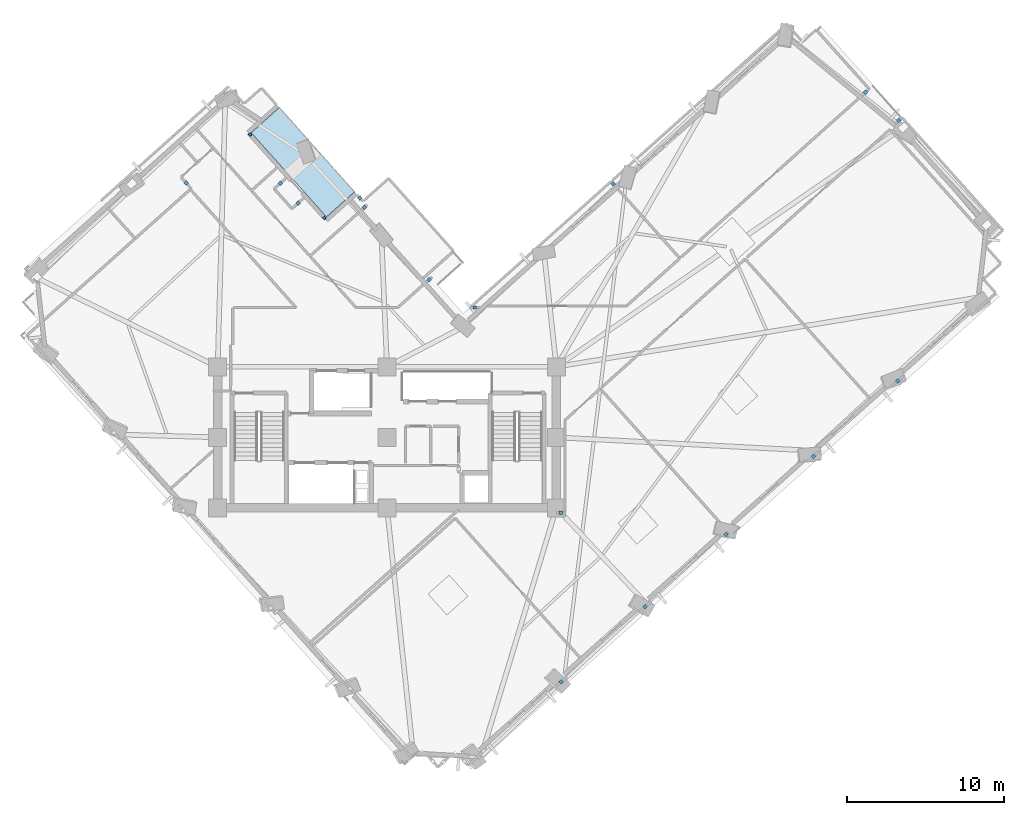
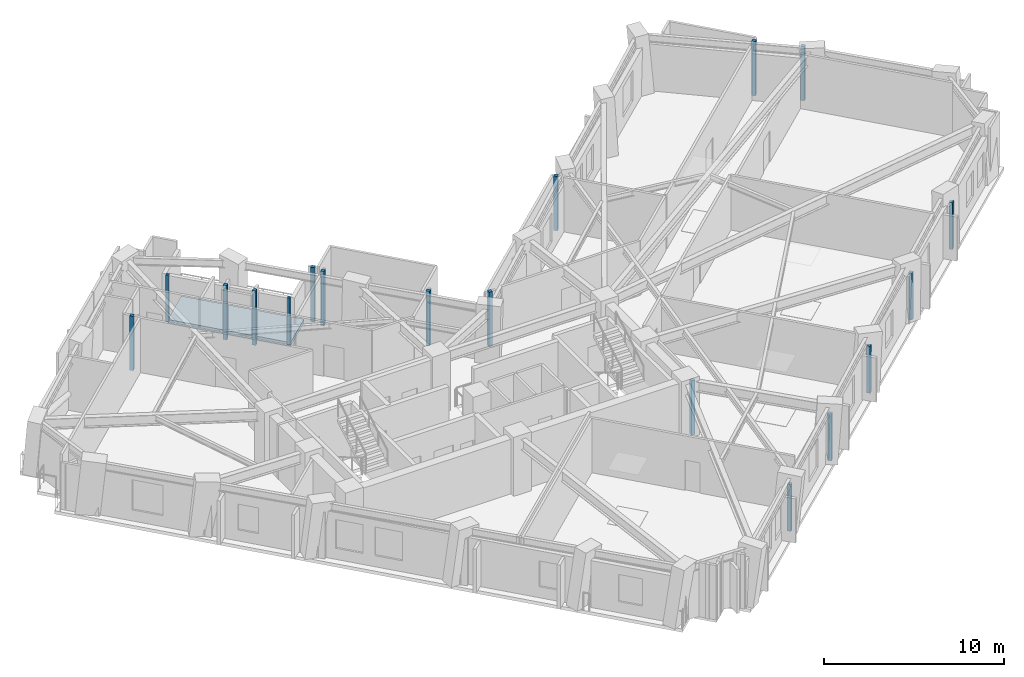
# One storey, part 4 of 14: 18 plates, 1 slab.
"""IFC4 building model written with IfcOpenShell, lengths in metres."""

import ifcopenshell
import ifcopenshell.guid

model = None  # the IFC model being written
_history = None  # IfcOwnerHistory: only IFC2X3 demands one
_inside = {}  # id of a spatial element -> (the spatial element, [elements in it])
_under = {}  # id of a project, library or spatial element -> (it, [spatial elements below it])
_declared = {}  # id of a project -> (the project, [libraries it declares])
_typed = {}  # id of a type object -> (the type object, [elements of that type])
_made_of = {}  # id of a material, layer set ... -> (it, [elements and type objects made of it])


def new_model(schema):
    """Start an empty IFC model of exactly this schema.

    Asked for "IFC4X3", IfcOpenShell would pick the latest addendum, in which some entities
    have other attributes; the version numbers below select the first issue.
    IFC2X3 requires an IfcOwnerHistory on every rooted entity: one is made here for all.
    """
    global model, _history
    if schema == "IFC4X3":
        model = ifcopenshell.file(schema_version=(4, 3, 0, 0))
    else:
        model = ifcopenshell.file(schema=schema)
    _inside.clear()
    _under.clear()
    _declared.clear()
    _typed.clear()
    _made_of.clear()
    _history = None
    if model.schema == "IFC2X3":
        org = make("IfcOrganization", Name="unknown")
        user = make(
            "IfcPersonAndOrganization",
            ThePerson=make("IfcPerson", FamilyName="unknown"),
            TheOrganization=org,
        )
        app = make(
            "IfcApplication",
            ApplicationDeveloper=org,
            Version="unknown",
            ApplicationFullName="unknown",
            ApplicationIdentifier="unknown",
        )
        _history = make(
            "IfcOwnerHistory",
            OwningUser=user,
            OwningApplication=app,
            ChangeAction="ADDED",
            CreationDate=0,
        )
    return model


def make(cls, **values):
    """One entity of the class cls with the attributes given. An attribute that is None is left unset."""
    return model.create_entity(
        cls, **{name: value for name, value in values.items() if value is not None}
    )


def rooted(cls, **values):
    """An entity with a GlobalId (a new one), such as an element, a storey or a relation."""
    return make(cls, GlobalId=ifcopenshell.guid.new(), OwnerHistory=_history, **values)


def si_unit(unit_type, name, prefix=None):
    """IfcSIUnit, for example si_unit("LENGTHUNIT", "METRE", prefix="MILLI")."""
    return make("IfcSIUnit", UnitType=unit_type, Prefix=prefix, Name=name)


def assignment(units):
    """IfcUnitAssignment: the units of a project."""
    return None if units is None else make("IfcUnitAssignment", Units=units)


def point(xyz):
    """IfcCartesianPoint."""
    return None if xyz is None else make("IfcCartesianPoint", Coordinates=xyz)


def direction(xyz):
    """IfcDirection."""
    return None if xyz is None else make("IfcDirection", DirectionRatios=xyz)


def frame(location, z_axis=None, x_axis=None):
    """IfcAxis2Placement3D, a coordinate frame: its origin and axes. An axis left out is left unset."""
    return make(
        "IfcAxis2Placement3D",
        Location=point(location),
        Axis=direction(z_axis),
        RefDirection=direction(x_axis),
    )


def frame_2d(location, x_axis=None):
    """IfcAxis2Placement2D, a coordinate frame in the plane: its origin and x axis."""
    return make(
        "IfcAxis2Placement2D", Location=point(location), RefDirection=direction(x_axis)
    )


def origin():
    """The frame at (0, 0, 0) with its axes left unset."""
    return frame((0.0, 0.0, 0.0))


def origin_2d():
    """The frame at (0, 0) in the plane with its x axis left unset."""
    return frame_2d((0.0, 0.0))


def place(relative_to, where):
    """IfcLocalPlacement: puts the frame where relative to a parent placement (None: the world)."""
    return make(
        "IfcLocalPlacement", PlacementRelTo=relative_to, RelativePlacement=where
    )


def context(
    kind, dimensions, precision=None, world=None, true_north=None, identifier=None
):
    """IfcGeometricRepresentationContext, for example the 3D "Model" context."""
    return make(
        "IfcGeometricRepresentationContext",
        ContextIdentifier=identifier,
        ContextType=kind,
        CoordinateSpaceDimension=dimensions,
        Precision=precision,
        WorldCoordinateSystem=world,
        TrueNorth=true_north,
    )


def subcontext(parent, identifier, kind, view, scale=None):
    """IfcGeometricRepresentationSubContext, for example "Body" below "Model"."""
    return make(
        "IfcGeometricRepresentationSubContext",
        ContextIdentifier=identifier,
        ContextType=kind,
        ParentContext=parent,
        TargetScale=scale,
        TargetView=view,
    )


def project(units=None, contexts=None):
    """IfcProject with its units and contexts."""
    return rooted(
        "IfcProject",
        Name="project",
        RepresentationContexts=contexts,
        UnitsInContext=assignment(units),
    )


def spatial(cls, under=None, at=None, **own):
    """A site, building, storey or space (cls), placed at a placement, below another one or the project."""
    s = rooted(cls, ObjectPlacement=at, **own)
    if under is not None:
        _under.setdefault(under.id(), (under, []))[1].append(s)
    return s


def polyline(points):
    """IfcPolyline through the points."""
    return make("IfcPolyline", Points=[point(p) for p in points])


def profile(cls, at=None, kind="AREA", **sizes):
    """A parametric profile (cls). Its sizes go by their IFC names, for example OverallWidth=200.0."""
    return make(cls, ProfileType=kind, Position=at, **sizes)


def rectangle(**sizes):
    """IfcRectangleProfileDef."""
    return profile("IfcRectangleProfileDef", **sizes)


def outline(outer, holes=None, kind="AREA"):
    """IfcArbitraryClosedProfileDef: a profile drawn as a closed curve; with holes, ...WithVoids."""
    if holes is None:
        return make("IfcArbitraryClosedProfileDef", ProfileType=kind, OuterCurve=outer)
    return make(
        "IfcArbitraryProfileDefWithVoids",
        ProfileType=kind,
        OuterCurve=outer,
        InnerCurves=holes,
    )


def extrude(swept, where, along, depth):
    """IfcExtrudedAreaSolid: the profile swept, set in the frame where, extruded along a direction by depth."""
    return make(
        "IfcExtrudedAreaSolid",
        SweptArea=swept,
        Position=where,
        ExtrudedDirection=direction(along),
        Depth=depth,
    )


def shape(context_of_items, identifier, shape_type, items):
    """IfcShapeRepresentation: the items that make up one representation, for example the "Body"."""
    return make(
        "IfcShapeRepresentation",
        ContextOfItems=context_of_items,
        RepresentationIdentifier=identifier,
        RepresentationType=shape_type,
        Items=items,
    )


def material(Name=None, Category=None):
    """IfcMaterial."""
    return make("IfcMaterial", Name=Name, Category=Category)


def layer(
    of_material, thickness, ventilated=None, Name=None, Category=None, Priority=None
):
    """IfcMaterialLayer: one layer of a wall or slab, of a material (None: an air gap)."""
    return make(
        "IfcMaterialLayer",
        Material=of_material,
        LayerThickness=thickness,
        IsVentilated=ventilated,
        Name=Name,
        Category=Category,
        Priority=Priority,
    )


def layer_set(layers, Name=None):
    """IfcMaterialLayerSet."""
    return make("IfcMaterialLayerSet", MaterialLayers=layers, LayerSetName=Name)


def made_of(thing, what):
    """Note that an element or type object is made of a material, layer set ...; save() writes the relation."""
    if what is not None:
        _made_of.setdefault(what.id(), (what, []))[1].append(thing)
    return thing


def type_object(cls, material=None, **own):
    """A type object (cls), such as IfcWallType, which elements share."""
    return made_of(rooted(cls, **own), material)


def element(
    cls,
    number,
    at=None,
    inside=None,
    cuts=None,
    type_object=None,
    material=None,
    context=None,
    identifier="Body",
    shape_type=None,
    held_by="IfcProductDefinitionShape",
    body=None,
    shapes=None,
    **own,
):
    """One element of the class cls, such as IfcWall. Its Tag is "e" and its number.

    at: its placement. inside: the storey or other place that contains it. cuts: it is an
    opening in that element (IfcRelVoidsElement). A single representation is given by context,
    identifier, shape_type and body (its items); several are given by shapes. held_by: the class
    of the entity that holds the representations. save() writes the other relations.
    """
    e = rooted(cls, Tag="e%d" % number, ObjectPlacement=at, **own)
    if body is not None:
        shapes = [shape(context, identifier, shape_type, body)]
    if shapes is not None:
        e.Representation = make(held_by, Representations=shapes)
    if inside is not None:
        _inside.setdefault(inside.id(), (inside, []))[1].append(e)
    if cuts is not None:
        rooted(
            "IfcRelVoidsElement", RelatingBuildingElement=cuts, RelatedOpeningElement=e
        )
    if type_object is not None:
        _typed.setdefault(type_object.id(), (type_object, []))[1].append(e)
    return made_of(e, material)


def aggregate(whole, parts):
    """IfcRelAggregates: a whole, such as a stair, and the parts it consists of."""
    return rooted("IfcRelAggregates", RelatingObject=whole, RelatedObjects=parts)


def save(model, path):
    """Write the relations noted so far, then the file.

    IfcRelAggregates (storeys below a building ...), IfcRelContainedInSpatialStructure (elements
    in a storey), IfcRelDefinesByType, IfcRelAssociatesMaterial and IfcRelDeclares: one each for
    every whole, place, type object, material and project.
    """
    for whole, parts in _under.values():
        aggregate(whole, parts)
    for where, things in _inside.values():
        rooted(
            "IfcRelContainedInSpatialStructure",
            RelatedElements=things,
            RelatingStructure=where,
        )
    for kind, things in _typed.values():
        rooted("IfcRelDefinesByType", RelatedObjects=things, RelatingType=kind)
    for what, things in _made_of.values():
        rooted("IfcRelAssociatesMaterial", RelatedObjects=things, RelatingMaterial=what)
    for by, libraries in _declared.values():
        rooted("IfcRelDeclares", RelatingContext=by, RelatedDefinitions=libraries)
    model.write(path)


model = new_model("IFC4")

# Units and contexts
model_context = context("Model", 3, precision=1e-05, world=origin(), true_north=direction((0.0, 1.0)))
body_context = subcontext(model_context, "Body", "Model", "MODEL_VIEW")
ifc_project = project(units=[si_unit("LENGTHUNIT", "METRE"), si_unit("AREAUNIT", "SQUARE_METRE"), si_unit("VOLUMEUNIT", "CUBIC_METRE"), si_unit("PLANEANGLEUNIT", "RADIAN"), si_unit("MASSUNIT", "GRAM", prefix="KILO")], contexts=[model_context])

# Site, building, storey
site_placement = place(None, origin())
site = spatial("IfcSite", under=ifc_project, at=site_placement, CompositionType="ELEMENT")
building_placement = place(site_placement, origin())
building = spatial("IfcBuilding", under=site, at=building_placement, Name="Gaonmaruhae Medical Tower", CompositionType="ELEMENT")
storey_placement = place(building_placement, frame((0.0, 0.0, 201.800048828125)))
storey = spatial("IfcBuildingStorey", under=building, at=storey_placement, Name="L48", CompositionType="ELEMENT", Elevation=201.800048828125)

# Plates
ifc_material_1 = material(Name="Anodised aluminium 6063-T6", Category="aluminium")
ifc_layer_1 = layer(ifc_material_1, 0.011962890625)
ifc_layer_set_1 = layer_set([ifc_layer_1], Name="Anodised aluminium 6063-T6")
plate_type = type_object("IfcPlateType", Name="PP-01 Interior Partition Corner Stiffener Plate", PredefinedType="SHEET", material=ifc_layer_set_1)
for number, where, z_axis, x_axis, name in (
    (1, (16.0625, 31.60205078125, 0.0), (0.0, 0.0, 1.0), (0.666519459137, -0.745487632755, 0.0), "L48 Partition End Jamb Post Plate PLT-L48-ENDP-TERB-0"),
    (2, (20.80810546875, 26.294189453125, 0.0), (0.0, 0.0, 1.0), (0.666519459137, -0.745487632755, 0.0), "L48 Partition End Jamb Post Plate PLT-L48-ENDP-TERB-1"),
):
    element("IfcPlate", number, at=place(storey_placement, frame(where, z_axis=z_axis, x_axis=x_axis)), inside=storey, type_object=plate_type, Name=name, PredefinedType="SHEET", context=body_context, shape_type="SweptSolid", body=[
        extrude(rectangle(XDim=0.179931640625, YDim=0.179931640625, at=origin_2d()), origin(), (0.0, 0.0, 1.0), 3.18505859375),
    ])
for number, where, z_axis, x_axis, name in (
    (3, (35.89990234375, -3.299072265625, 0.0), (0.0, 0.0, 1.0), (-0.745894647207, -0.666063942327, 0.0), "L48 Partition Corner Stiffener Plate PLT-L48-JGP-PW013"),
    (4, (46.423095703125, 6.110107421875, 0.0), (0.0, 0.0, 1.0), (-0.745859771158, -0.666102996367, 0.0), "L48 Partition Corner Stiffener Plate PLT-L48-JGP-PW019"),
    (5, (41.26708984375, 1.5, 0.0), (0.0, 0.0, 1.0), (-0.745824893064, -0.66614204858, 0.0), "L48 Partition Corner Stiffener Plate PLT-L48-JGP-PW020"),
):
    element("IfcPlate", number, at=place(storey_placement, frame(where, z_axis=z_axis, x_axis=x_axis)), inside=storey, type_object=plate_type, Name=name, PredefinedType="SHEET", context=body_context, shape_type="SweptSolid", body=[
        extrude(rectangle(XDim=0.219970703125, YDim=0.219970703125, at=origin_2d()), origin(), (0.0, 0.0, 1.0), 3.18505859375),
    ])
plate_placement = place(storey_placement, frame((35.875, 7.5, 0.0), z_axis=(0.0, 0.0, 1.0), x_axis=(1.0, 0.0, 0.0)))
element("IfcPlate", 6, at=plate_placement, inside=storey, type_object=plate_type, Name="L48 Partition Corner Stiffener Plate PLT-L48-JGP-PW021", PredefinedType="SHEET", context=body_context, shape_type="SweptSolid", body=[
    extrude(rectangle(XDim=0.219970703125, YDim=0.219970703125, at=origin_2d()), origin(), (0.0, 0.0, 1.0), 3.699951171875),
])
for number, where, z_axis, x_axis, name in (
    (7, (52.0009765625, 11.097412109375, 0.0), (0.0, 0.0, 1.0), (-0.745906272102, -0.666050923908, 0.0), "L48 Partition Corner Stiffener Plate PLT-L48-JGP-PW025"),
    (8, (57.367919921875, 15.89599609375, 0.0), (0.0, 0.0, 1.0), (-0.746045753121, -0.665894687057, 0.0), "L48 Partition Corner Stiffener Plate PLT-L48-JGP-PW027"),
):
    element("IfcPlate", number, at=place(storey_placement, frame(where, z_axis=z_axis, x_axis=x_axis)), inside=storey, type_object=plate_type, Name=name, PredefinedType="SHEET", context=body_context, shape_type="SweptSolid", body=[
        extrude(rectangle(XDim=0.219970703125, YDim=0.219970703125, at=origin_2d()), origin(), (0.0, 0.0, 1.0), 3.18505859375),
    ])
for number, where, z_axis, x_axis, name in (
    (9, (30.406494140625, 20.580078125, 0.0), (0.0, 0.0, 1.0), (-1.0, 0.0, 0.0), "L48 Partition Corner Stiffener Plate PLT-L48-JGP-PW047"),
    (10, (39.22802734375, 28.467041015625, 0.0), (0.0, 0.0, 1.0), (0.666935714002, -0.745115261815, 0.0), "L48 Partition Corner Stiffener Plate PLT-L48-JGP-PW049"),
    (11, (55.3134765625, 34.302001953125, 0.0), (0.0, 0.0, 1.0), (-0.745859771158, -0.666102996367, 0.0), "L48 Partition Corner Stiffener Plate PLT-L48-JGP-PW055"),
    (12, (23.35791015625, 26.964599609375, 0.0), (0.0, 0.0, 1.0), (0.746161962305, 0.665764467368, 0.0), "L48 Partition Corner Stiffener Plate PLT-L48-JGP-PW060"),
    (13, (27.47705078125, 22.357421875, 0.0), (0.0, 0.0, 1.0), (-0.746161962305, -0.665764467368, 0.0), "L48 Partition Corner Stiffener Plate PLT-L48-JGP-PW062"),
    (14, (17.99755859375, 28.50341796875, 0.0), (0.0, 0.0, 1.0), (-0.745790012926, -0.666181098967, 0.0), "L48 Partition Corner Stiffener Plate PLT-L48-JGP-PW068"),
    (15, (19.131103515625, 27.236572265625, 0.0), (0.0, 0.0, 1.0), (0.745359656467, 0.666662570204, 0.0), "L48 Partition Corner Stiffener Plate PLT-L48-JGP-PW070"),
    (16, (23.076904296875, 27.5673828125, 0.0), (0.0, 0.0, 1.0), (0.667273767902, -0.744812539281, 0.0), "L48 Partition Corner Stiffener Plate PLT-L48-JGP-PW071"),
    (17, (11.991455078125, 28.51904296875, 0.0), (0.0, 0.0, 1.0), (0.666519459137, -0.745487632755, 0.0), "L48 Partition Corner Stiffener Plate PLT-L48-JGP-PW077"),
    (18, (57.4326171875, 32.52001953125, 0.0), (0.0, 0.0, 1.0), (0.745103621477, 0.666948718615, 0.0), "L48 Partition Corner Stiffener Plate PLT-L48-JGP-PW089"),
):
    element("IfcPlate", number, at=place(storey_placement, frame(where, z_axis=z_axis, x_axis=x_axis)), inside=storey, type_object=plate_type, Name=name, PredefinedType="SHEET", context=body_context, shape_type="SweptSolid", body=[
        extrude(rectangle(XDim=0.219970703125, YDim=0.219970703125, at=origin_2d()), origin(), (0.0, 0.0, 1.0), 3.699951171875),
    ])

# Slab
ifc_material_2 = material(Name="Concrete C40/50", Category="concrete")
ifc_layer_2 = layer(ifc_material_2, 0.239990234375)
ifc_layer_set_2 = layer_set([ifc_layer_2], Name="Concrete C40/50")
slab_type = type_object("IfcSlabType", Name="TS-240 Sky Garden & Recovery Terrace Slab", PredefinedType="FLOOR", material=ifc_layer_set_2)
slab_placement = place(storey_placement, frame((0.0, 0.0, -0.239990234375)))
element("IfcSlab", 19, at=slab_placement, inside=storey, type_object=slab_type, Name="L48 Outdoor Recovery Terrace Slab", PredefinedType="FLOOR", context=body_context, shape_type="SweptSolid", body=[
    extrude(outline(polyline([(20.939208984375, 26.357666015625), (22.728515625, 27.957275390625), (17.929443359375, 33.32470703125), (16.14013671875, 31.72509765625), (20.939208984375, 26.357666015625)])), origin(), (0.0, 0.0, 1.0), 0.239990234375),
])

save(model, "model.ifc")
